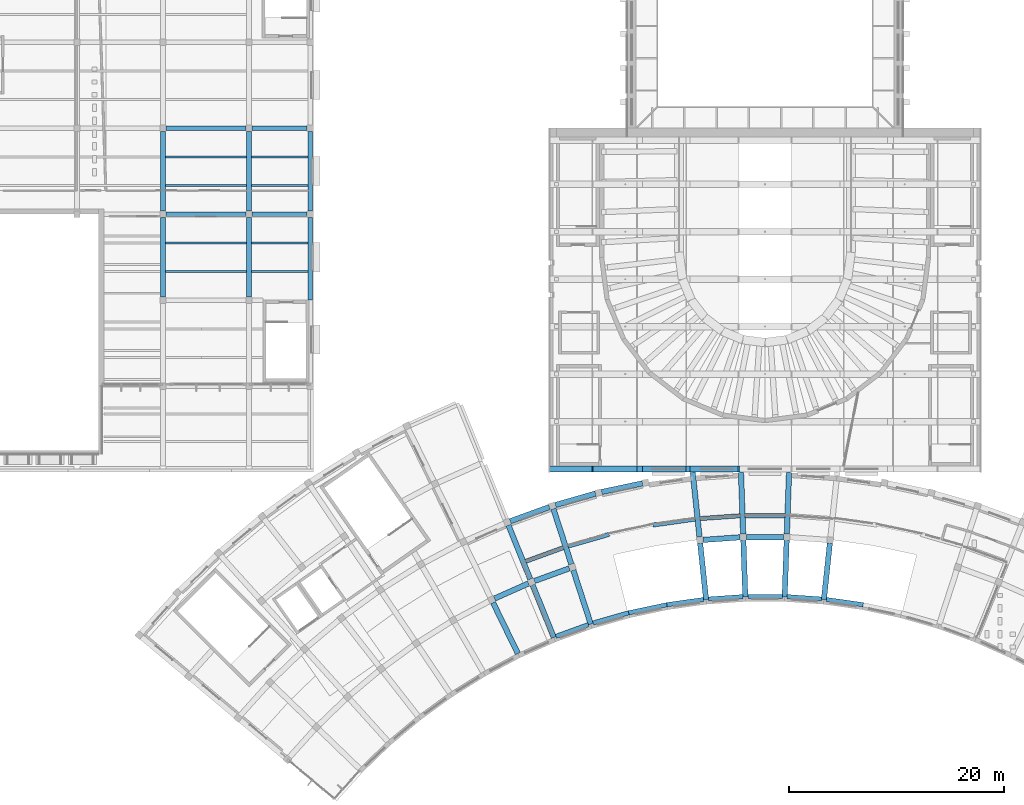
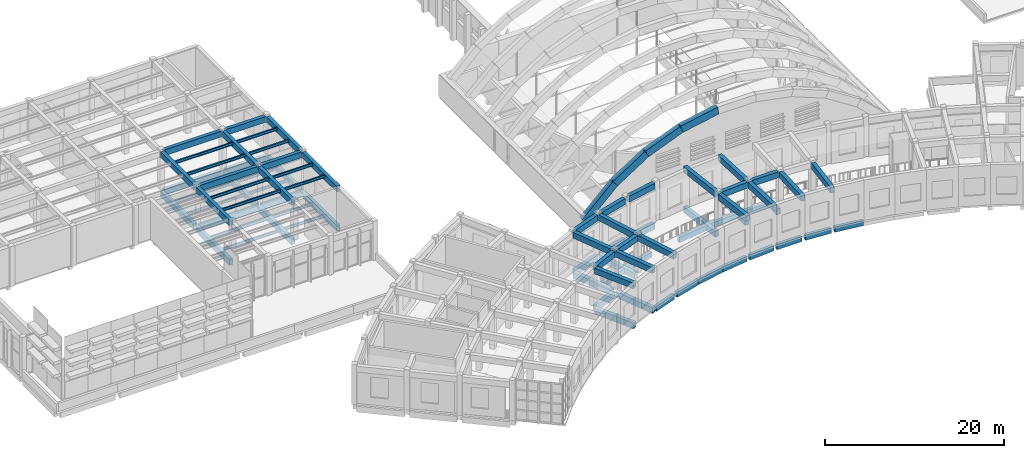
# One storey, part 8 of 94: 82 beams.
"""IFC4 building model written with IfcOpenShell, lengths in metres."""

from ifc_helpers import new_model, si_unit, direction, frame, origin, origin_2d, place, context, subcontext, project, spatial, rectangle, i_section, extrude, material, material_profile, profile_set, type_object, element, save


model = new_model("IFC4")

# Units and contexts
model_context = context("Model", 3, precision=1e-05, world=origin(), true_north=direction((0.0, 1.0)))
body_context = subcontext(model_context, "Body", "Model", "MODEL_VIEW")
ifc_project = project(units=[si_unit("LENGTHUNIT", "METRE"), si_unit("AREAUNIT", "SQUARE_METRE"), si_unit("VOLUMEUNIT", "CUBIC_METRE"), si_unit("PLANEANGLEUNIT", "RADIAN"), si_unit("MASSUNIT", "GRAM", prefix="KILO")], contexts=[model_context])

# Site, building, storey
site_placement = place(None, origin())
site = spatial("IfcSite", under=ifc_project, at=site_placement, CompositionType="ELEMENT")
building_placement = place(site_placement, origin())
building = spatial("IfcBuilding", under=site, at=building_placement, Name="Lunette Opera House", CompositionType="ELEMENT")
storey_placement = place(building_placement, frame((0.0, 0.0, 22.5)))
storey = spatial("IfcBuildingStorey", under=building, at=storey_placement, Name="L04", CompositionType="ELEMENT", Elevation=22.5)

# Beams
ifc_material_1 = material(Name="Concrete C40/50", Category="concrete")
ifc_material_profile_1 = material_profile(ifc_material_1, rectangle(XDim=0.60009765625, YDim=1.0, at=origin_2d()), Name="ARCH BEAM 600X1000")
ifc_profile_set_1 = profile_set([ifc_material_profile_1], Name="Concrete C40/50")
beam_type_1 = type_object("IfcBeamType", Name="ARCH BEAM 600X1000", PredefinedType="BEAM", material=ifc_profile_set_1)
beam_1_placement = place(storey_placement, frame((76.300048828125, 64.300048828125, 2.14501953125), z_axis=(0.723596948656, 0.0, 0.69022275817), x_axis=(0.0, 1.0, 0.0)))
element("IfcBeam", 1, at=beam_1_placement, inside=storey, type_object=beam_type_1, Name="beam-AU-L04-EA1-1", PredefinedType="BEAM", context=body_context, shape_type="SweptSolid", body=[
    extrude(rectangle(XDim=0.60009765625, YDim=1.0, at=origin_2d()), origin(), (0.0, 0.0, 1.0), 5.486328125),
])
beam_2_placement = place(storey_placement, frame((80.27001953125, 64.300048828125, 5.931884765625), z_axis=(0.84120306647, 0.0, 0.54071933659), x_axis=(0.0, 1.0, 0.0)))
element("IfcBeam", 2, at=beam_2_placement, inside=storey, type_object=beam_type_1, Name="beam-AU-L04-EA1-2", PredefinedType="BEAM", context=body_context, shape_type="SweptSolid", body=[
    extrude(rectangle(XDim=0.60009765625, YDim=1.0, at=origin_2d()), origin(), (0.0, 0.0, 1.0), 4.83837890625),
])
beam_3_placement = place(storey_placement, frame((84.340087890625, 64.300048828125, 8.548095703125), z_axis=(0.92830257193, 0.0, 0.371825678172), x_axis=(0.0, 1.0, 0.0)))
element("IfcBeam", 3, at=beam_3_placement, inside=storey, type_object=beam_type_1, Name="beam-AU-L04-EA1-3", PredefinedType="BEAM", context=body_context, shape_type="SweptSolid", body=[
    extrude(rectangle(XDim=0.60009765625, YDim=1.0, at=origin_2d()), origin(), (0.0, 0.0, 1.0), 4.837890625),
])
beam_4_placement = place(storey_placement, frame((88.8310546875, 64.300048828125, 10.346923828125), z_axis=(0.981908402453, 0.0, 0.189356513466), x_axis=(0.0, 1.0, 0.0)))
element("IfcBeam", 4, at=beam_4_placement, inside=storey, type_object=beam_type_1, Name="beam-AU-L04-EA1-4", PredefinedType="BEAM", context=body_context, shape_type="SweptSolid", body=[
    extrude(rectangle(XDim=0.60009765625, YDim=1.0, at=origin_2d()), origin(), (0.0, 0.0, 1.0), 4.83740234375),
])
ifc_material_2 = material(Name="Concrete C35/45", Category="concrete")
ifc_material_profile_2 = material_profile(ifc_material_2, rectangle(XDim=0.39990234375, YDim=0.699951171875, at=origin_2d()), Name="RC BEAM 400X700")
ifc_profile_set_2 = profile_set([ifc_material_profile_2], Name="Concrete C35/45")
beam_type_2 = type_object("IfcBeamType", Name="RC BEAM 400X700", PredefinedType="BEAM", material=ifc_profile_set_2)
beam_5_placement = place(storey_placement, frame((79.572021484375, 49.830078125, -0.570068359375), z_axis=(-0.939593472893, -0.34229242717, 0.0), x_axis=(0.34229242717, -0.939593472893, 0.0)))
element("IfcBeam", 5, at=beam_5_placement, inside=storey, type_object=beam_type_2, Name="beam-FC-L04-TRL04-036", PredefinedType="BEAM", context=body_context, shape_type="SweptSolid", body=[
    extrude(rectangle(XDim=0.39990234375, YDim=0.699951171875, at=origin_2d()), origin(), (0.0, 0.0, 1.0), 3.2109375),
])
beam_6_placement = place(storey_placement, frame((73.739990234375, 55.7099609375, -0.570068359375), z_axis=(0.939781948653, 0.341774617234, 0.0), x_axis=(-0.341774617234, 0.939781948653, 0.0)))
element("IfcBeam", 6, at=beam_6_placement, inside=storey, type_object=beam_type_2, Name="beam-FC-L04-TRL04-037", PredefinedType="BEAM", context=body_context, shape_type="SweptSolid", body=[
    extrude(rectangle(XDim=0.39990234375, YDim=0.699951171875, at=origin_2d()), origin(), (0.0, 0.0, 1.0), 3.727294921875),
])
beam_7_placement = place(storey_placement, frame((77.679931640625, 57.1259765625, -0.570068359375), z_axis=(0.961195992808, 0.275866386878, 0.0), x_axis=(-0.275866386878, 0.961195992808, 0.0)))
element("IfcBeam", 7, at=beam_7_placement, inside=storey, type_object=beam_type_2, Name="beam-FC-L04-TRL04-038", PredefinedType="BEAM", context=body_context, shape_type="SweptSolid", body=[
    extrude(rectangle(XDim=0.39990234375, YDim=0.699951171875, at=origin_2d()), origin(), (0.0, 0.0, 1.0), 3.96923828125),
])
beam_8_placement = place(storey_placement, frame((85.571044921875, 59.0869140625, -0.570068359375), z_axis=(0.990274204789, 0.139129433731, 0.0), x_axis=(-0.139129433731, 0.990274204789, 0.0)))
element("IfcBeam", 8, at=beam_8_placement, inside=storey, type_object=beam_type_2, Name="beam-FC-L04-TRL04-039", PredefinedType="BEAM", context=body_context, shape_type="SweptSolid", body=[
    extrude(rectangle(XDim=0.39990234375, YDim=0.699951171875, at=origin_2d()), origin(), (0.0, 0.0, 1.0), 3.967529296875),
])
for number, where, z_axis, x_axis, name in (
    (9, (89.9580078125, 59.68701171875, -0.570068359375), (0.997564939374, 0.06974375766, 0.0), (-0.06974375766, 0.997564939374, 0.0), "beam-FC-L04-TRL04-040"),
    (10, (94.135986328125, 59.962890625, -0.570068359375), (1.0, 0.0, 0.0), (0.0, 1.0, 0.0), "beam-FC-L04-TRL04-041"),
):
    element("IfcBeam", number, at=place(storey_placement, frame(where, z_axis=z_axis, x_axis=x_axis)), inside=storey, type_object=beam_type_2, Name=name, PredefinedType="BEAM", context=body_context, shape_type="SweptSolid", body=[
        extrude(rectangle(XDim=0.39990234375, YDim=0.699951171875, at=origin_2d()), origin(), (0.0, 0.0, 1.0), 3.72802734375),
    ])
beam_9_placement = place(storey_placement, frame((105.126953125, 51.676025390625, -0.570068359375), z_axis=(-0.990249873854, 0.139302502963, 0.0), x_axis=(-0.139302502963, -0.990249873854, 0.0)))
element("IfcBeam", 11, at=beam_9_placement, inside=storey, type_object=beam_type_2, Name="beam-FC-L04-TRL04-049", PredefinedType="BEAM", context=body_context, shape_type="SweptSolid", body=[
    extrude(rectangle(XDim=0.39990234375, YDim=0.699951171875, at=origin_2d()), origin(), (0.0, 0.0, 1.0), 3.45263671875),
])
beam_10_placement = place(storey_placement, frame((101.259033203125, 52.202880859375, -0.570068359375), z_axis=(-0.997561085243, 0.069798862519, 0.0), x_axis=(-0.069798862519, -0.997561085243, 0.0)))
element("IfcBeam", 12, at=beam_10_placement, inside=storey, type_object=beam_type_2, Name="beam-FC-L04-TRL04-050", PredefinedType="BEAM", context=body_context, shape_type="SweptSolid", body=[
    extrude(rectangle(XDim=0.39990234375, YDim=0.699951171875, at=origin_2d()), origin(), (0.0, 0.0, 1.0), 3.2109375),
])
beam_11_placement = place(storey_placement, frame((97.60498046875, 52.443115234375, -0.570068359375), z_axis=(-1.0, 0.0, 0.0), x_axis=(0.0, -1.0, 0.0)))
element("IfcBeam", 13, at=beam_11_placement, inside=storey, type_object=beam_type_2, Name="beam-FC-L04-TRL04-051", PredefinedType="BEAM", context=body_context, shape_type="SweptSolid", body=[
    extrude(rectangle(XDim=0.39990234375, YDim=0.699951171875, at=origin_2d()), origin(), (0.0, 0.0, 1.0), 3.2099609375),
])
beam_12_placement = place(storey_placement, frame((93.944091796875, 52.427001953125, -0.570068359375), z_axis=(-0.997561085243, -0.069798862519, 0.0), x_axis=(0.069798862519, -0.997561085243, 0.0)))
element("IfcBeam", 14, at=beam_12_placement, inside=storey, type_object=beam_type_2, Name="beam-FC-L04-TRL04-052", PredefinedType="BEAM", context=body_context, shape_type="SweptSolid", body=[
    extrude(rectangle(XDim=0.39990234375, YDim=0.699951171875, at=origin_2d()), origin(), (0.0, 0.0, 1.0), 3.2109375),
])
beam_13_placement = place(storey_placement, frame((90.2919921875, 52.156982421875, -0.570068359375), z_axis=(-0.990249873854, -0.139302502963, 0.0), x_axis=(0.139302502963, -0.990249873854, 0.0)))
element("IfcBeam", 15, at=beam_13_placement, inside=storey, type_object=beam_type_2, Name="beam-FC-L04-TRL04-053", PredefinedType="BEAM", context=body_context, shape_type="SweptSolid", body=[
    extrude(rectangle(XDim=0.39990234375, YDim=0.699951171875, at=origin_2d()), origin(), (0.0, 0.0, 1.0), 3.45263671875),
])
beam_14_placement = place(storey_placement, frame((86.902099609375, 51.680908203125, -0.570068359375), z_axis=(-0.9781869111, -0.207726664037, 0.0), x_axis=(0.207726664037, -0.9781869111, 0.0)))
element("IfcBeam", 16, at=beam_14_placement, inside=storey, type_object=beam_type_2, Name="beam-FC-L04-TRL04-054", PredefinedType="BEAM", context=body_context, shape_type="SweptSolid", body=[
    extrude(rectangle(XDim=0.39990234375, YDim=0.699951171875, at=origin_2d()), origin(), (0.0, 0.0, 1.0), 3.691650390625),
])
beam_15_placement = place(storey_placement, frame((83.319091796875, 50.9208984375, -0.570068359375), z_axis=(-0.961227143122, -0.275757827315, 0.0), x_axis=(0.275757827315, -0.961227143122, 0.0)))
element("IfcBeam", 17, at=beam_15_placement, inside=storey, type_object=beam_type_2, Name="beam-FC-L04-TRL04-055", PredefinedType="BEAM", context=body_context, shape_type="SweptSolid", body=[
    extrude(rectangle(XDim=0.39990234375, YDim=0.699951171875, at=origin_2d()), origin(), (0.0, 0.0, 1.0), 3.451904296875),
])
ifc_material_3 = material(Name="Concrete C35/45", Category="concrete")
ifc_material_profile_3 = material_profile(ifc_material_3, rectangle(XDim=0.449951171875, YDim=0.800048828125, at=origin_2d()), Name="RC BEAM 450X800")
ifc_profile_set_3 = profile_set([ifc_material_profile_3], Name="Concrete C35/45")
beam_type_3 = type_object("IfcBeamType", Name="RC BEAM 450X800", PredefinedType="BEAM", material=ifc_profile_set_3)
for number, where, z_axis, x_axis, name in (
    (18, (40.0, 80.2900390625, -0.550048828125), (0.0, 1.0, 0.0), (-1.0, 0.0, 0.0), "beam-RW-L04-L04-GY42"),
    (19, (40.0, 88.2900390625, -0.550048828125), (0.0, 1.0, 0.0), (-1.0, 0.0, 0.0), "beam-RW-L04-L04-GY43"),
    (20, (48.0, 80.2900390625, -0.550048828125), (0.0, 1.0, 0.0), (-1.0, 0.0, 0.0), "beam-RW-L04-L04-GY52"),
    (21, (48.0, 88.2900390625, -0.550048828125), (0.0, 1.0, 0.0), (-1.0, 0.0, 0.0), "beam-RW-L04-L04-GY53"),
):
    element("IfcBeam", number, at=place(storey_placement, frame(where, z_axis=z_axis, x_axis=x_axis)), inside=storey, type_object=beam_type_3, Name=name, PredefinedType="BEAM", context=body_context, shape_type="SweptSolid", body=[
        extrude(rectangle(XDim=0.449951171875, YDim=0.800048828125, at=origin_2d()), origin(), (0.0, 0.0, 1.0), 7.419921875),
    ])
beam_16_placement = place(storey_placement, frame((53.699951171875, 80.0, -0.550048828125), z_axis=(0.0, 1.0, 0.0), x_axis=(-1.0, 0.0, 0.0)))
element("IfcBeam", 22, at=beam_16_placement, inside=storey, type_object=beam_type_3, Name="beam-RW-L04-L04-GY62", PredefinedType="BEAM", context=body_context, shape_type="SweptSolid", body=[
    extrude(rectangle(XDim=0.449951171875, YDim=0.800048828125, at=origin_2d()), origin(), (0.0, 0.0, 1.0), 7.7099609375),
])
for number, where, z_axis, x_axis, name in (
    (23, (53.699951171875, 88.2900390625, -0.550048828125), (0.0, 1.0, 0.0), (-1.0, 0.0, 0.0), "beam-RW-L04-L04-GY63"),
    (24, (40.2900390625, 88.0, -0.550048828125), (1.0, 0.0, 0.0), (0.0, 1.0, 0.0), "beam-RW-L04-L04-GX43"),
):
    element("IfcBeam", number, at=place(storey_placement, frame(where, z_axis=z_axis, x_axis=x_axis)), inside=storey, type_object=beam_type_3, Name=name, PredefinedType="BEAM", context=body_context, shape_type="SweptSolid", body=[
        extrude(rectangle(XDim=0.449951171875, YDim=0.800048828125, at=origin_2d()), origin(), (0.0, 0.0, 1.0), 7.419921875),
    ])
beam_17_placement = place(storey_placement, frame((48.2900390625, 88.0, -0.550048828125), z_axis=(1.0, 0.0, 0.0), x_axis=(0.0, 1.0, 0.0)))
element("IfcBeam", 25, at=beam_17_placement, inside=storey, type_object=beam_type_3, Name="beam-RW-L04-L04-GX53", PredefinedType="BEAM", context=body_context, shape_type="SweptSolid", body=[
    extrude(rectangle(XDim=0.449951171875, YDim=0.800048828125, at=origin_2d()), origin(), (0.0, 0.0, 1.0), 5.119873046875),
])
beam_18_placement = place(storey_placement, frame((40.2900390625, 96.0, -0.550048828125), z_axis=(1.0, 0.0, 0.0), x_axis=(0.0, 1.0, 0.0)))
element("IfcBeam", 26, at=beam_18_placement, inside=storey, type_object=beam_type_3, Name="beam-RW-L04-L04-GX44", PredefinedType="BEAM", context=body_context, shape_type="SweptSolid", body=[
    extrude(rectangle(XDim=0.449951171875, YDim=0.800048828125, at=origin_2d()), origin(), (0.0, 0.0, 1.0), 7.419921875),
])
beam_19_placement = place(storey_placement, frame((48.2900390625, 96.0, -0.550048828125), z_axis=(1.0, 0.0, 0.0), x_axis=(0.0, 1.0, 0.0)))
element("IfcBeam", 27, at=beam_19_placement, inside=storey, type_object=beam_type_3, Name="beam-RW-L04-L04-GX54", PredefinedType="BEAM", context=body_context, shape_type="SweptSolid", body=[
    extrude(rectangle(XDim=0.449951171875, YDim=0.800048828125, at=origin_2d()), origin(), (0.0, 0.0, 1.0), 5.119873046875),
])
for number, where, z_axis, x_axis, name in (
    (28, (40.0, 80.2900390625, 4.85009765625), (0.0, 1.0, 0.0), (-1.0, 0.0, 0.0), "beam-RW-L04-L04R-GY42"),
    (29, (40.0, 88.2900390625, 4.85009765625), (0.0, 1.0, 0.0), (-1.0, 0.0, 0.0), "beam-RW-L04-L04R-GY43"),
    (30, (48.0, 80.2900390625, 4.85009765625), (0.0, 1.0, 0.0), (-1.0, 0.0, 0.0), "beam-RW-L04-L04R-GY52"),
    (31, (48.0, 88.2900390625, 4.85009765625), (0.0, 1.0, 0.0), (-1.0, 0.0, 0.0), "beam-RW-L04-L04R-GY53"),
):
    element("IfcBeam", number, at=place(storey_placement, frame(where, z_axis=z_axis, x_axis=x_axis)), inside=storey, type_object=beam_type_3, Name=name, PredefinedType="BEAM", context=body_context, shape_type="SweptSolid", body=[
        extrude(rectangle(XDim=0.449951171875, YDim=0.800048828125, at=origin_2d()), origin(), (0.0, 0.0, 1.0), 7.419921875),
    ])
beam_20_placement = place(storey_placement, frame((53.699951171875, 80.0, 4.85009765625), z_axis=(0.0, 1.0, 0.0), x_axis=(-1.0, 0.0, 0.0)))
element("IfcBeam", 32, at=beam_20_placement, inside=storey, type_object=beam_type_3, Name="beam-RW-L04-L04R-GY62", PredefinedType="BEAM", context=body_context, shape_type="SweptSolid", body=[
    extrude(rectangle(XDim=0.449951171875, YDim=0.800048828125, at=origin_2d()), origin(), (0.0, 0.0, 1.0), 7.7099609375),
])
for number, where, z_axis, x_axis, name in (
    (33, (53.699951171875, 88.2900390625, 4.85009765625), (0.0, 1.0, 0.0), (-1.0, 0.0, 0.0), "beam-RW-L04-L04R-GY63"),
    (34, (40.2900390625, 88.0, 4.85009765625), (1.0, 0.0, 0.0), (0.0, 1.0, 0.0), "beam-RW-L04-L04R-GX43"),
):
    element("IfcBeam", number, at=place(storey_placement, frame(where, z_axis=z_axis, x_axis=x_axis)), inside=storey, type_object=beam_type_3, Name=name, PredefinedType="BEAM", context=body_context, shape_type="SweptSolid", body=[
        extrude(rectangle(XDim=0.449951171875, YDim=0.800048828125, at=origin_2d()), origin(), (0.0, 0.0, 1.0), 7.419921875),
    ])
beam_21_placement = place(storey_placement, frame((48.2900390625, 88.0, 4.85009765625), z_axis=(1.0, 0.0, 0.0), x_axis=(0.0, 1.0, 0.0)))
element("IfcBeam", 35, at=beam_21_placement, inside=storey, type_object=beam_type_3, Name="beam-RW-L04-L04R-GX53", PredefinedType="BEAM", context=body_context, shape_type="SweptSolid", body=[
    extrude(rectangle(XDim=0.449951171875, YDim=0.800048828125, at=origin_2d()), origin(), (0.0, 0.0, 1.0), 5.119873046875),
])
beam_22_placement = place(storey_placement, frame((40.2900390625, 96.0, 4.85009765625), z_axis=(1.0, 0.0, 0.0), x_axis=(0.0, 1.0, 0.0)))
element("IfcBeam", 36, at=beam_22_placement, inside=storey, type_object=beam_type_3, Name="beam-RW-L04-L04R-GX44", PredefinedType="BEAM", context=body_context, shape_type="SweptSolid", body=[
    extrude(rectangle(XDim=0.449951171875, YDim=0.800048828125, at=origin_2d()), origin(), (0.0, 0.0, 1.0), 7.419921875),
])
beam_23_placement = place(storey_placement, frame((48.2900390625, 96.0, 4.85009765625), z_axis=(1.0, 0.0, 0.0), x_axis=(0.0, 1.0, 0.0)))
element("IfcBeam", 37, at=beam_23_placement, inside=storey, type_object=beam_type_3, Name="beam-RW-L04-L04R-GX54", PredefinedType="BEAM", context=body_context, shape_type="SweptSolid", body=[
    extrude(rectangle(XDim=0.449951171875, YDim=0.800048828125, at=origin_2d()), origin(), (0.0, 0.0, 1.0), 5.119873046875),
])
ifc_material_4 = material(Name="Concrete C35/45", Category="concrete")
ifc_material_profile_4 = material_profile(ifc_material_4, rectangle(XDim=0.5, YDim=0.800048828125, at=origin_2d()), Name="RC BEAM 500X800")
ifc_profile_set_4 = profile_set([ifc_material_profile_4], Name="Concrete C35/45")
beam_type_4 = type_object("IfcBeamType", Name="RC BEAM 500X800", PredefinedType="BEAM", material=ifc_profile_set_4)
beam_24_placement = place(storey_placement, frame((73.011962890625, 47.133056640625, -0.6201171875), z_axis=(-0.43840720038, 0.898776460893, 0.0), x_axis=(-0.898776460893, -0.43840720038, 0.0)))
element("IfcBeam", 38, at=beam_24_placement, inside=storey, type_object=beam_type_4, Name="beam-FC-L04-L04-RB-RL-07-1", PredefinedType="BEAM", context=body_context, shape_type="SweptSolid", body=[
    extrude(rectangle(XDim=0.5, YDim=0.800048828125, at=origin_2d()), origin(), (0.0, 0.0, 1.0), 5.269287109375),
])
beam_25_placement = place(storey_placement, frame((76.35595703125, 48.6220703125, -0.6201171875), z_axis=(-0.374734953038, 0.927131983577, 0.0), x_axis=(-0.927131983577, -0.374734953038, 0.0)))
element("IfcBeam", 39, at=beam_25_placement, inside=storey, type_object=beam_type_4, Name="beam-FC-L04-L04-RB-RL-08-1", PredefinedType="BEAM", context=body_context, shape_type="SweptSolid", body=[
    extrude(rectangle(XDim=0.5, YDim=0.800048828125, at=origin_2d()), origin(), (0.0, 0.0, 1.0), 5.27001953125),
])
beam_26_placement = place(storey_placement, frame((74.1640625, 54.0458984375, -0.6201171875), z_axis=(-0.374565086829, 0.927200623236, 0.0), x_axis=(-0.927200623236, -0.374565086829, 0.0)))
element("IfcBeam", 40, at=beam_26_placement, inside=storey, type_object=beam_type_4, Name="beam-FC-L04-L04-RB-RL-08-2", PredefinedType="BEAM", context=body_context, shape_type="SweptSolid", body=[
    extrude(rectangle(XDim=0.5, YDim=0.800048828125, at=origin_2d()), origin(), (0.0, 0.0, 1.0), 5.419677734375),
])
beam_27_placement = place(storey_placement, frame((77.987060546875, 55.43701171875, -0.6201171875), z_axis=(-0.308867082307, 0.951105212617, 0.0), x_axis=(-0.951105212617, -0.308867082307, 0.0)))
element("IfcBeam", 41, at=beam_27_placement, inside=storey, type_object=beam_type_4, Name="beam-FC-L04-L04-RB-RL-09-2", PredefinedType="BEAM", context=body_context, shape_type="SweptSolid", body=[
    extrude(rectangle(XDim=0.5, YDim=0.800048828125, at=origin_2d()), origin(), (0.0, 0.0, 1.0), 5.419921875),
])
beam_28_placement = place(storey_placement, frame((89.906982421875, 57.970947265625, -0.6201171875), z_axis=(-0.104586255643, 0.994515819447, 0.0), x_axis=(-0.994515819447, -0.104586255643, 0.0)))
element("IfcBeam", 42, at=beam_28_placement, inside=storey, type_object=beam_type_4, Name="beam-FC-L04-L04-RB-RL-12-2", PredefinedType="BEAM", context=body_context, shape_type="SweptSolid", body=[
    extrude(rectangle(XDim=0.5, YDim=0.800048828125, at=origin_2d()), origin(), (0.0, 0.0, 1.0), 6.062255859375),
])
for number, where, z_axis, x_axis, name in (
    (43, (93.966064453125, 58.25390625, -0.6201171875), (-0.034988760606, 0.999387705864, 0.0), (-0.999387705864, -0.034988760606, 0.0), "beam-FC-L04-L04-RB-RL-13-2"),
    (44, (98.033935546875, 58.25390625, -0.6201171875), (0.034988760606, 0.999387705864, 0.0), (-0.999387705864, 0.034988760606, 0.0), "beam-FC-L04-L04-RB-RL-14-2"),
):
    element("IfcBeam", number, at=place(storey_placement, frame(where, z_axis=z_axis, x_axis=x_axis)), inside=storey, type_object=beam_type_4, Name=name, PredefinedType="BEAM", context=body_context, shape_type="SweptSolid", body=[
        extrude(rectangle(XDim=0.5, YDim=0.800048828125, at=origin_2d()), origin(), (0.0, 0.0, 1.0), 5.74951171875),
    ])
beam_29_placement = place(storey_placement, frame((70.839111328125, 52.248046875, -0.6201171875), z_axis=(0.913547244718, 0.406732629216, 0.0), x_axis=(-0.406732629216, 0.913547244718, 0.0)))
element("IfcBeam", 45, at=beam_29_placement, inside=storey, type_object=beam_type_4, Name="beam-FC-L04-L04-RG-AR-M1-RL-07", PredefinedType="BEAM", context=body_context, shape_type="SweptSolid", body=[
    extrude(rectangle(XDim=0.5, YDim=0.800048828125, at=origin_2d()), origin(), (0.0, 0.0, 1.0), 3.46875),
])
for number, where, z_axis, x_axis, name in (
    (46, (72.298095703125, 59.43896484375, -0.6201171875), (0.939617227647, 0.342227213279, 0.0), (-0.342227213279, 0.939617227647, 0.0), "beam-FC-L04-L04-RG-AR-B-RL-08"),
    (47, (76.501953125, 60.947998046875, -0.6201171875), (0.96127941359, 0.275575559526, 0.0), (-0.275575559526, 0.96127941359, 0.0), "beam-FC-L04-L04-RG-AR-B-RL-09"),
):
    element("IfcBeam", number, at=place(storey_placement, frame(where, z_axis=z_axis, x_axis=x_axis)), inside=storey, type_object=beam_type_4, Name=name, PredefinedType="BEAM", context=body_context, shape_type="SweptSolid", body=[
        extrude(rectangle(XDim=0.5, YDim=0.800048828125, at=origin_2d()), origin(), (0.0, 0.0, 1.0), 3.886474609375),
    ])
beam_30_placement = place(storey_placement, frame((80.801025390625, 62.158935546875, -0.6201171875), z_axis=(0.978098312025, 0.208143440959, 0.0), x_axis=(-0.208143440959, 0.978098312025, 0.0)))
element("IfcBeam", 48, at=beam_30_placement, inside=storey, type_object=beam_type_4, Name="beam-FC-L04-L04-RG-AR-B-RL-10", PredefinedType="BEAM", context=body_context, shape_type="SweptSolid", body=[
    extrude(rectangle(XDim=0.5, YDim=0.800048828125, at=origin_2d()), origin(), (0.0, 0.0, 1.0), 3.88720703125),
])
beam_31_placement = place(storey_placement, frame((73.011962890625, 47.133056640625, 4.85009765625), z_axis=(-0.43840720038, 0.898776460893, 0.0), x_axis=(-0.898776460893, -0.43840720038, 0.0)))
element("IfcBeam", 49, at=beam_31_placement, inside=storey, type_object=beam_type_4, Name="beam-FC-L04-RF-RB-RL-07-1", PredefinedType="BEAM", context=body_context, shape_type="SweptSolid", body=[
    extrude(rectangle(XDim=0.5, YDim=0.800048828125, at=origin_2d()), origin(), (0.0, 0.0, 1.0), 5.269287109375),
])
beam_32_placement = place(storey_placement, frame((76.35595703125, 48.6220703125, 4.85009765625), z_axis=(-0.374734953038, 0.927131983577, 0.0), x_axis=(-0.927131983577, -0.374734953038, 0.0)))
element("IfcBeam", 50, at=beam_32_placement, inside=storey, type_object=beam_type_4, Name="beam-FC-L04-RF-RB-RL-08-1", PredefinedType="BEAM", context=body_context, shape_type="SweptSolid", body=[
    extrude(rectangle(XDim=0.5, YDim=0.800048828125, at=origin_2d()), origin(), (0.0, 0.0, 1.0), 5.27001953125),
])
beam_33_placement = place(storey_placement, frame((74.1640625, 54.0458984375, 4.85009765625), z_axis=(-0.374565086829, 0.927200623236, 0.0), x_axis=(-0.927200623236, -0.374565086829, 0.0)))
element("IfcBeam", 51, at=beam_33_placement, inside=storey, type_object=beam_type_4, Name="beam-FC-L04-RF-RB-RL-08-2", PredefinedType="BEAM", context=body_context, shape_type="SweptSolid", body=[
    extrude(rectangle(XDim=0.5, YDim=0.800048828125, at=origin_2d()), origin(), (0.0, 0.0, 1.0), 5.419677734375),
])
beam_34_placement = place(storey_placement, frame((79.794921875, 49.873046875, 4.85009765625), z_axis=(-0.308921598548, 0.951087506989, 0.0), x_axis=(-0.951087506989, -0.308921598548, 0.0)))
element("IfcBeam", 52, at=beam_34_placement, inside=storey, type_object=beam_type_4, Name="beam-FC-L04-RF-RB-RL-09-1", PredefinedType="BEAM", context=body_context, shape_type="SweptSolid", body=[
    extrude(rectangle(XDim=0.5, YDim=0.800048828125, at=origin_2d()), origin(), (0.0, 0.0, 1.0), 5.269775390625),
])
beam_35_placement = place(storey_placement, frame((77.987060546875, 55.43701171875, 4.85009765625), z_axis=(-0.308867082307, 0.951105212617, 0.0), x_axis=(-0.951105212617, -0.308867082307, 0.0)))
element("IfcBeam", 53, at=beam_35_placement, inside=storey, type_object=beam_type_4, Name="beam-FC-L04-RF-RB-RL-09-2", PredefinedType="BEAM", context=body_context, shape_type="SweptSolid", body=[
    extrude(rectangle(XDim=0.5, YDim=0.800048828125, at=origin_2d()), origin(), (0.0, 0.0, 1.0), 5.419921875),
])
beam_36_placement = place(storey_placement, frame((90.51904296875, 52.153076171875, 4.85009765625), z_axis=(-0.104561792989, 0.994518391709, 0.0), x_axis=(-0.994518391709, -0.104561792989, 0.0)))
element("IfcBeam", 54, at=beam_36_placement, inside=storey, type_object=beam_type_4, Name="beam-FC-L04-RF-RB-RL-12-1", PredefinedType="BEAM", context=body_context, shape_type="SweptSolid", body=[
    extrude(rectangle(XDim=0.5, YDim=0.800048828125, at=origin_2d()), origin(), (0.0, 0.0, 1.0), 5.269775390625),
])
beam_37_placement = place(storey_placement, frame((89.906982421875, 57.970947265625, 4.85009765625), z_axis=(-0.104586255643, 0.994515819447, 0.0), x_axis=(-0.994515819447, -0.104586255643, 0.0)))
element("IfcBeam", 55, at=beam_37_placement, inside=storey, type_object=beam_type_4, Name="beam-FC-L04-RF-RB-RL-12-2", PredefinedType="BEAM", context=body_context, shape_type="SweptSolid", body=[
    extrude(rectangle(XDim=0.5, YDim=0.800048828125, at=origin_2d()), origin(), (0.0, 0.0, 1.0), 6.062255859375),
])
beam_38_placement = place(storey_placement, frame((94.169921875, 52.407958984375, 4.85009765625), z_axis=(-0.034881883553, 0.999391441928, 0.0), x_axis=(-0.999391441928, -0.034881883553, 0.0)))
element("IfcBeam", 56, at=beam_38_placement, inside=storey, type_object=beam_type_4, Name="beam-FC-L04-RF-RB-RL-13-1", PredefinedType="BEAM", context=body_context, shape_type="SweptSolid", body=[
    extrude(rectangle(XDim=0.5, YDim=0.800048828125, at=origin_2d()), origin(), (0.0, 0.0, 1.0), 5.270263671875),
])
beam_39_placement = place(storey_placement, frame((93.966064453125, 58.25390625, 4.85009765625), z_axis=(-0.034988760606, 0.999387705864, 0.0), x_axis=(-0.999387705864, -0.034988760606, 0.0)))
element("IfcBeam", 57, at=beam_39_placement, inside=storey, type_object=beam_type_4, Name="beam-FC-L04-RF-RB-RL-13-2", PredefinedType="BEAM", context=body_context, shape_type="SweptSolid", body=[
    extrude(rectangle(XDim=0.5, YDim=0.800048828125, at=origin_2d()), origin(), (0.0, 0.0, 1.0), 5.74951171875),
])
beam_40_placement = place(storey_placement, frame((97.830078125, 52.407958984375, 4.85009765625), z_axis=(0.034881883553, 0.999391441928, 0.0), x_axis=(-0.999391441928, 0.034881883553, 0.0)))
element("IfcBeam", 58, at=beam_40_placement, inside=storey, type_object=beam_type_4, Name="beam-FC-L04-RF-RB-RL-14-1", PredefinedType="BEAM", context=body_context, shape_type="SweptSolid", body=[
    extrude(rectangle(XDim=0.5, YDim=0.800048828125, at=origin_2d()), origin(), (0.0, 0.0, 1.0), 5.270263671875),
])
beam_41_placement = place(storey_placement, frame((101.48095703125, 52.153076171875, 4.85009765625), z_axis=(0.104561792989, 0.994518391709, 0.0), x_axis=(-0.994518391709, 0.104561792989, 0.0)))
element("IfcBeam", 59, at=beam_41_placement, inside=storey, type_object=beam_type_4, Name="beam-FC-L04-RF-RB-RL-15-1", PredefinedType="BEAM", context=body_context, shape_type="SweptSolid", body=[
    extrude(rectangle(XDim=0.5, YDim=0.800048828125, at=origin_2d()), origin(), (0.0, 0.0, 1.0), 5.269775390625),
])
beam_42_placement = place(storey_placement, frame((70.839111328125, 52.248046875, 4.85009765625), z_axis=(0.913547244718, 0.406732629216, 0.0), x_axis=(-0.406732629216, 0.913547244718, 0.0)))
element("IfcBeam", 60, at=beam_42_placement, inside=storey, type_object=beam_type_4, Name="beam-FC-L04-RF-RG-AR-M1-RL-07", PredefinedType="BEAM", context=body_context, shape_type="SweptSolid", body=[
    extrude(rectangle(XDim=0.5, YDim=0.800048828125, at=origin_2d()), origin(), (0.0, 0.0, 1.0), 3.46875),
])
beam_43_placement = place(storey_placement, frame((74.5458984375, 53.8759765625, 4.85009765625), z_axis=(0.939674125144, 0.34207095541, 0.0), x_axis=(-0.34207095541, 0.939674125144, 0.0)))
element("IfcBeam", 61, at=beam_43_placement, inside=storey, type_object=beam_type_4, Name="beam-FC-L04-RF-RG-AR-M1-RL-08", PredefinedType="BEAM", context=body_context, shape_type="SweptSolid", body=[
    extrude(rectangle(XDim=0.5, YDim=0.800048828125, at=origin_2d()), origin(), (0.0, 0.0, 1.0), 3.46728515625),
])
beam_44_placement = place(storey_placement, frame((90.22607421875, 57.701904296875, 4.85009765625), z_axis=(0.997540895374, 0.070086817988, 0.0), x_axis=(-0.070086817988, 0.997540895374, 0.0)))
element("IfcBeam", 62, at=beam_44_placement, inside=storey, type_object=beam_type_4, Name="beam-FC-L04-RF-RG-AR-M1-RL-12", PredefinedType="BEAM", context=body_context, shape_type="SweptSolid", body=[
    extrude(rectangle(XDim=0.5, YDim=0.800048828125, at=origin_2d()), origin(), (0.0, 0.0, 1.0), 3.469482421875),
])
beam_45_placement = place(storey_placement, frame((94.26611328125, 57.965087890625, 4.85009765625), z_axis=(1.0, 0.0, 0.0), x_axis=(0.0, 1.0, 0.0)))
element("IfcBeam", 63, at=beam_45_placement, inside=storey, type_object=beam_type_4, Name="beam-FC-L04-RF-RG-AR-M1-RL-13", PredefinedType="BEAM", context=body_context, shape_type="SweptSolid", body=[
    extrude(rectangle(XDim=0.5, YDim=0.800048828125, at=origin_2d()), origin(), (0.0, 0.0, 1.0), 3.4677734375),
])
for number, where, z_axis, x_axis, name in (
    (64, (72.298095703125, 59.43896484375, 4.85009765625), (0.939617227647, 0.342227213279, 0.0), (-0.342227213279, 0.939617227647, 0.0), "beam-FC-L04-RF-RG-AR-B-RL-08"),
    (65, (76.501953125, 60.947998046875, 4.85009765625), (0.96127941359, 0.275575559526, 0.0), (-0.275575559526, 0.96127941359, 0.0), "beam-FC-L04-RF-RG-AR-B-RL-09"),
):
    element("IfcBeam", number, at=place(storey_placement, frame(where, z_axis=z_axis, x_axis=x_axis)), inside=storey, type_object=beam_type_4, Name=name, PredefinedType="BEAM", context=body_context, shape_type="SweptSolid", body=[
        extrude(rectangle(XDim=0.5, YDim=0.800048828125, at=origin_2d()), origin(), (0.0, 0.0, 1.0), 3.886474609375),
    ])
beam_46_placement = place(storey_placement, frame((80.801025390625, 62.158935546875, 4.85009765625), z_axis=(0.978098312025, 0.208143440959, 0.0), x_axis=(-0.208143440959, 0.978098312025, 0.0)))
element("IfcBeam", 66, at=beam_46_placement, inside=storey, type_object=beam_type_4, Name="beam-FC-L04-RF-RG-AR-B-RL-10", PredefinedType="BEAM", context=body_context, shape_type="SweptSolid", body=[
    extrude(rectangle(XDim=0.5, YDim=0.800048828125, at=origin_2d()), origin(), (0.0, 0.0, 1.0), 3.88720703125),
])
ifc_material_5 = material(Name="Steel S355", Category="steel")
ifc_material_profile_5 = material_profile(ifc_material_5, i_section(OverallWidth=0.179931640625, OverallDepth=0.39990234375, WebThickness=0.008544921875, FlangeThickness=0.013427734375, FilletRadius=0.02099609375, at=origin_2d()), Name="IPE 400")
ifc_profile_set_5 = profile_set([ifc_material_profile_5], Name="Steel S355")
beam_type_5 = type_object("IfcBeamType", Name="STEEL BEAM IPE 400", PredefinedType="BEAM", material=ifc_profile_set_5)
for number, where, z_axis, x_axis, name in (
    (67, (40.215087890625, 82.6669921875, -0.35009765625), (1.0, 0.0, 0.0), (0.0, 1.0, 0.0), "beam-RW-L04-L04-SX421"),
    (68, (40.215087890625, 85.3330078125, -0.35009765625), (1.0, 0.0, 0.0), (0.0, 1.0, 0.0), "beam-RW-L04-L04-SX422"),
    (69, (40.215087890625, 90.6669921875, -0.35009765625), (1.0, 0.0, 0.0), (0.0, 1.0, 0.0), "beam-RW-L04-L04-SX431"),
    (70, (40.215087890625, 93.3330078125, -0.35009765625), (1.0, 0.0, 0.0), (0.0, 1.0, 0.0), "beam-RW-L04-L04-SX432"),
):
    element("IfcBeam", number, at=place(storey_placement, frame(where, z_axis=z_axis, x_axis=x_axis)), inside=storey, type_object=beam_type_5, Name=name, PredefinedType="BEAM", context=body_context, shape_type="SweptSolid", body=[
        extrude(i_section(OverallWidth=0.179931640625, OverallDepth=0.39990234375, WebThickness=0.008544921875, FlangeThickness=0.013427734375, FilletRadius=0.02099609375, at=origin_2d()), origin(), (0.0, 0.0, 1.0), 7.56982421875),
    ])
for number, where, z_axis, x_axis, name in (
    (71, (48.215087890625, 82.6669921875, -0.35009765625), (1.0, 0.0, 0.0), (0.0, 1.0, 0.0), "beam-RW-L04-L04-SX521"),
    (72, (48.215087890625, 85.3330078125, -0.35009765625), (1.0, 0.0, 0.0), (0.0, 1.0, 0.0), "beam-RW-L04-L04-SX522"),
    (73, (48.215087890625, 90.6669921875, -0.35009765625), (1.0, 0.0, 0.0), (0.0, 1.0, 0.0), "beam-RW-L04-L04-SX531"),
    (74, (48.215087890625, 93.3330078125, -0.35009765625), (1.0, 0.0, 0.0), (0.0, 1.0, 0.0), "beam-RW-L04-L04-SX532"),
):
    element("IfcBeam", number, at=place(storey_placement, frame(where, z_axis=z_axis, x_axis=x_axis)), inside=storey, type_object=beam_type_5, Name=name, PredefinedType="BEAM", context=body_context, shape_type="SweptSolid", body=[
        extrude(i_section(OverallWidth=0.179931640625, OverallDepth=0.39990234375, WebThickness=0.008544921875, FlangeThickness=0.013427734375, FilletRadius=0.02099609375, at=origin_2d()), origin(), (0.0, 0.0, 1.0), 5.27001953125),
    ])
for number, where, z_axis, x_axis, name in (
    (75, (40.215087890625, 82.6669921875, 5.050048828125), (1.0, 0.0, 0.0), (0.0, 1.0, 0.0), "beam-RW-L04-L04R-SX421"),
    (76, (40.215087890625, 85.3330078125, 5.050048828125), (1.0, 0.0, 0.0), (0.0, 1.0, 0.0), "beam-RW-L04-L04R-SX422"),
    (77, (40.215087890625, 90.6669921875, 5.050048828125), (1.0, 0.0, 0.0), (0.0, 1.0, 0.0), "beam-RW-L04-L04R-SX431"),
    (78, (40.215087890625, 93.3330078125, 5.050048828125), (1.0, 0.0, 0.0), (0.0, 1.0, 0.0), "beam-RW-L04-L04R-SX432"),
):
    element("IfcBeam", number, at=place(storey_placement, frame(where, z_axis=z_axis, x_axis=x_axis)), inside=storey, type_object=beam_type_5, Name=name, PredefinedType="BEAM", context=body_context, shape_type="SweptSolid", body=[
        extrude(i_section(OverallWidth=0.179931640625, OverallDepth=0.39990234375, WebThickness=0.008544921875, FlangeThickness=0.013427734375, FilletRadius=0.02099609375, at=origin_2d()), origin(), (0.0, 0.0, 1.0), 7.56982421875),
    ])
for number, where, z_axis, x_axis, name in (
    (79, (48.215087890625, 82.6669921875, 5.050048828125), (1.0, 0.0, 0.0), (0.0, 1.0, 0.0), "beam-RW-L04-L04R-SX521"),
    (80, (48.215087890625, 85.3330078125, 5.050048828125), (1.0, 0.0, 0.0), (0.0, 1.0, 0.0), "beam-RW-L04-L04R-SX522"),
    (81, (48.215087890625, 90.6669921875, 5.050048828125), (1.0, 0.0, 0.0), (0.0, 1.0, 0.0), "beam-RW-L04-L04R-SX531"),
    (82, (48.215087890625, 93.3330078125, 5.050048828125), (1.0, 0.0, 0.0), (0.0, 1.0, 0.0), "beam-RW-L04-L04R-SX532"),
):
    element("IfcBeam", number, at=place(storey_placement, frame(where, z_axis=z_axis, x_axis=x_axis)), inside=storey, type_object=beam_type_5, Name=name, PredefinedType="BEAM", context=body_context, shape_type="SweptSolid", body=[
        extrude(i_section(OverallWidth=0.179931640625, OverallDepth=0.39990234375, WebThickness=0.008544921875, FlangeThickness=0.013427734375, FilletRadius=0.02099609375, at=origin_2d()), origin(), (0.0, 0.0, 1.0), 5.27001953125),
    ])

save(model, "model.ifc")
